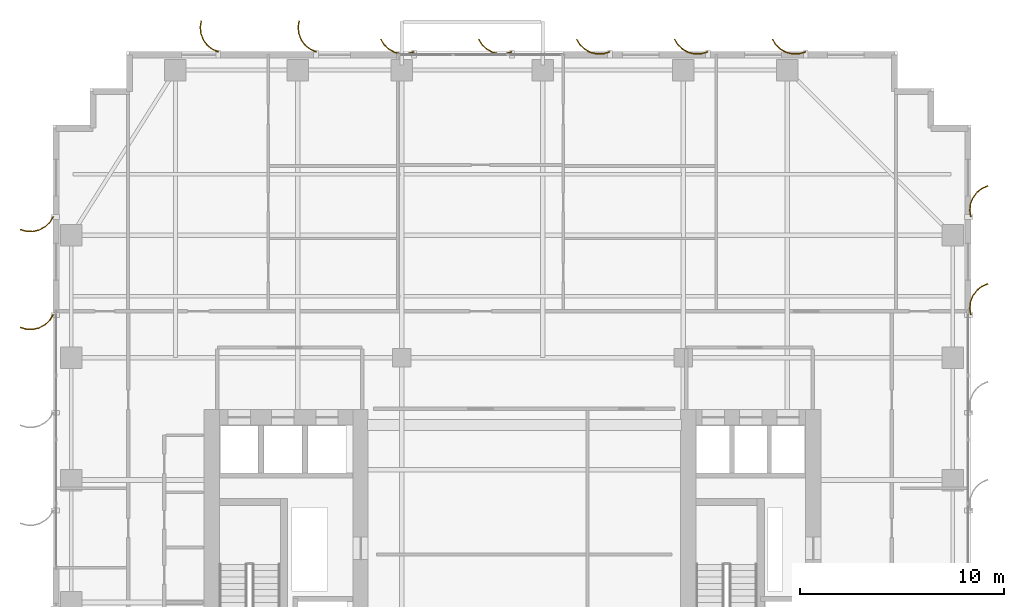
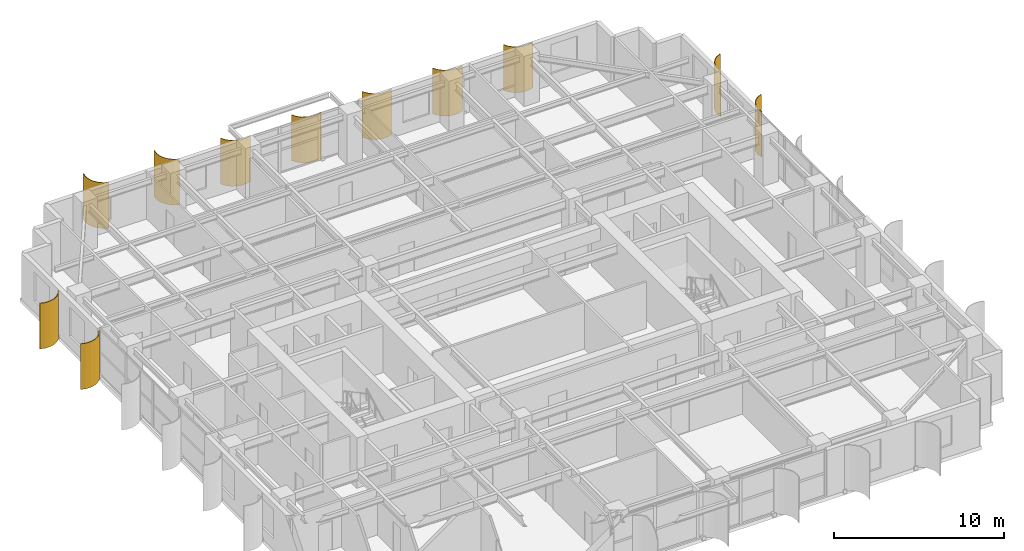
# One storey, part 23 of 23: 11 shading devices.
"""IFC4 building model written with IfcOpenShell, lengths in metres."""

import ifcopenshell
import ifcopenshell.guid

model = None  # the IFC model being written
_history = None  # IfcOwnerHistory: only IFC2X3 demands one
_inside = {}  # id of a spatial element -> (the spatial element, [elements in it])
_under = {}  # id of a project, library or spatial element -> (it, [spatial elements below it])
_declared = {}  # id of a project -> (the project, [libraries it declares])
_typed = {}  # id of a type object -> (the type object, [elements of that type])
_made_of = {}  # id of a material, layer set ... -> (it, [elements and type objects made of it])


def new_model(schema):
    """Start an empty IFC model of exactly this schema.

    Asked for "IFC4X3", IfcOpenShell would pick the latest addendum, in which some entities
    have other attributes; the version numbers below select the first issue.
    IFC2X3 requires an IfcOwnerHistory on every rooted entity: one is made here for all.
    """
    global model, _history
    if schema == "IFC4X3":
        model = ifcopenshell.file(schema_version=(4, 3, 0, 0))
    else:
        model = ifcopenshell.file(schema=schema)
    _inside.clear()
    _under.clear()
    _declared.clear()
    _typed.clear()
    _made_of.clear()
    _history = None
    if model.schema == "IFC2X3":
        org = make("IfcOrganization", Name="unknown")
        user = make(
            "IfcPersonAndOrganization",
            ThePerson=make("IfcPerson", FamilyName="unknown"),
            TheOrganization=org,
        )
        app = make(
            "IfcApplication",
            ApplicationDeveloper=org,
            Version="unknown",
            ApplicationFullName="unknown",
            ApplicationIdentifier="unknown",
        )
        _history = make(
            "IfcOwnerHistory",
            OwningUser=user,
            OwningApplication=app,
            ChangeAction="ADDED",
            CreationDate=0,
        )
    return model


def make(cls, **values):
    """One entity of the class cls with the attributes given. An attribute that is None is left unset."""
    return model.create_entity(
        cls, **{name: value for name, value in values.items() if value is not None}
    )


def rooted(cls, **values):
    """An entity with a GlobalId (a new one), such as an element, a storey or a relation."""
    return make(cls, GlobalId=ifcopenshell.guid.new(), OwnerHistory=_history, **values)


def si_unit(unit_type, name, prefix=None):
    """IfcSIUnit, for example si_unit("LENGTHUNIT", "METRE", prefix="MILLI")."""
    return make("IfcSIUnit", UnitType=unit_type, Prefix=prefix, Name=name)


def assignment(units):
    """IfcUnitAssignment: the units of a project."""
    return None if units is None else make("IfcUnitAssignment", Units=units)


def point(xyz):
    """IfcCartesianPoint."""
    return None if xyz is None else make("IfcCartesianPoint", Coordinates=xyz)


def direction(xyz):
    """IfcDirection."""
    return None if xyz is None else make("IfcDirection", DirectionRatios=xyz)


def frame(location, z_axis=None, x_axis=None):
    """IfcAxis2Placement3D, a coordinate frame: its origin and axes. An axis left out is left unset."""
    return make(
        "IfcAxis2Placement3D",
        Location=point(location),
        Axis=direction(z_axis),
        RefDirection=direction(x_axis),
    )


def origin():
    """The frame at (0, 0, 0) with its axes left unset."""
    return frame((0.0, 0.0, 0.0))


def place(relative_to, where):
    """IfcLocalPlacement: puts the frame where relative to a parent placement (None: the world)."""
    return make(
        "IfcLocalPlacement", PlacementRelTo=relative_to, RelativePlacement=where
    )


def context(
    kind, dimensions, precision=None, world=None, true_north=None, identifier=None
):
    """IfcGeometricRepresentationContext, for example the 3D "Model" context."""
    return make(
        "IfcGeometricRepresentationContext",
        ContextIdentifier=identifier,
        ContextType=kind,
        CoordinateSpaceDimension=dimensions,
        Precision=precision,
        WorldCoordinateSystem=world,
        TrueNorth=true_north,
    )


def subcontext(parent, identifier, kind, view, scale=None):
    """IfcGeometricRepresentationSubContext, for example "Body" below "Model"."""
    return make(
        "IfcGeometricRepresentationSubContext",
        ContextIdentifier=identifier,
        ContextType=kind,
        ParentContext=parent,
        TargetScale=scale,
        TargetView=view,
    )


def project(units=None, contexts=None):
    """IfcProject with its units and contexts."""
    return rooted(
        "IfcProject",
        Name="project",
        RepresentationContexts=contexts,
        UnitsInContext=assignment(units),
    )


def spatial(cls, under=None, at=None, **own):
    """A site, building, storey or space (cls), placed at a placement, below another one or the project."""
    s = rooted(cls, ObjectPlacement=at, **own)
    if under is not None:
        _under.setdefault(under.id(), (under, []))[1].append(s)
    return s


def polyline(points):
    """IfcPolyline through the points."""
    return make("IfcPolyline", Points=[point(p) for p in points])


def outline(outer, holes=None, kind="AREA"):
    """IfcArbitraryClosedProfileDef: a profile drawn as a closed curve; with holes, ...WithVoids."""
    if holes is None:
        return make("IfcArbitraryClosedProfileDef", ProfileType=kind, OuterCurve=outer)
    return make(
        "IfcArbitraryProfileDefWithVoids",
        ProfileType=kind,
        OuterCurve=outer,
        InnerCurves=holes,
    )


def extrude(swept, where, along, depth):
    """IfcExtrudedAreaSolid: the profile swept, set in the frame where, extruded along a direction by depth."""
    return make(
        "IfcExtrudedAreaSolid",
        SweptArea=swept,
        Position=where,
        ExtrudedDirection=direction(along),
        Depth=depth,
    )


def shape(context_of_items, identifier, shape_type, items):
    """IfcShapeRepresentation: the items that make up one representation, for example the "Body"."""
    return make(
        "IfcShapeRepresentation",
        ContextOfItems=context_of_items,
        RepresentationIdentifier=identifier,
        RepresentationType=shape_type,
        Items=items,
    )


def source(mapping_origin, context_of_items, identifier, shape_type, items):
    """IfcRepresentationMap: a shape defined once, which mapped items show again and again."""
    return make(
        "IfcRepresentationMap",
        MappingOrigin=mapping_origin,
        MappedRepresentation=shape(context_of_items, identifier, shape_type, items),
    )


def transform(
    local_origin,
    x_axis=None,
    y_axis=None,
    z_axis=None,
    scale=None,
    scale2=None,
    scale3=None,
    uniform=True,
):
    """IfcCartesianTransformationOperator3D, or its non-uniform kind. x_axis, y_axis, z_axis: its Axis1, 2, 3."""
    if uniform:
        return make(
            "IfcCartesianTransformationOperator3D",
            Axis1=direction(x_axis),
            Axis2=direction(y_axis),
            LocalOrigin=point(local_origin),
            Scale=scale,
            Axis3=direction(z_axis),
        )
    return make(
        "IfcCartesianTransformationOperator3DnonUniform",
        Axis1=direction(x_axis),
        Axis2=direction(y_axis),
        LocalOrigin=point(local_origin),
        Scale=scale,
        Axis3=direction(z_axis),
        Scale2=scale2,
        Scale3=scale3,
    )


def mapped(mapping_source, mapping_target):
    """IfcMappedItem: shows the shape of a source again, moved by a transform."""
    return make(
        "IfcMappedItem", MappingSource=mapping_source, MappingTarget=mapping_target
    )


def material(Name=None, Category=None):
    """IfcMaterial."""
    return make("IfcMaterial", Name=Name, Category=Category)


def layer(
    of_material, thickness, ventilated=None, Name=None, Category=None, Priority=None
):
    """IfcMaterialLayer: one layer of a wall or slab, of a material (None: an air gap)."""
    return make(
        "IfcMaterialLayer",
        Material=of_material,
        LayerThickness=thickness,
        IsVentilated=ventilated,
        Name=Name,
        Category=Category,
        Priority=Priority,
    )


def layer_set(layers, Name=None):
    """IfcMaterialLayerSet."""
    return make("IfcMaterialLayerSet", MaterialLayers=layers, LayerSetName=Name)


def made_of(thing, what):
    """Note that an element or type object is made of a material, layer set ...; save() writes the relation."""
    if what is not None:
        _made_of.setdefault(what.id(), (what, []))[1].append(thing)
    return thing


def type_object(cls, material=None, **own):
    """A type object (cls), such as IfcWallType, which elements share."""
    return made_of(rooted(cls, **own), material)


def element(
    cls,
    number,
    at=None,
    inside=None,
    cuts=None,
    type_object=None,
    material=None,
    context=None,
    identifier="Body",
    shape_type=None,
    held_by="IfcProductDefinitionShape",
    body=None,
    shapes=None,
    **own,
):
    """One element of the class cls, such as IfcWall. Its Tag is "e" and its number.

    at: its placement. inside: the storey or other place that contains it. cuts: it is an
    opening in that element (IfcRelVoidsElement). A single representation is given by context,
    identifier, shape_type and body (its items); several are given by shapes. held_by: the class
    of the entity that holds the representations. save() writes the other relations.
    """
    e = rooted(cls, Tag="e%d" % number, ObjectPlacement=at, **own)
    if body is not None:
        shapes = [shape(context, identifier, shape_type, body)]
    if shapes is not None:
        e.Representation = make(held_by, Representations=shapes)
    if inside is not None:
        _inside.setdefault(inside.id(), (inside, []))[1].append(e)
    if cuts is not None:
        rooted(
            "IfcRelVoidsElement", RelatingBuildingElement=cuts, RelatedOpeningElement=e
        )
    if type_object is not None:
        _typed.setdefault(type_object.id(), (type_object, []))[1].append(e)
    return made_of(e, material)


def aggregate(whole, parts):
    """IfcRelAggregates: a whole, such as a stair, and the parts it consists of."""
    return rooted("IfcRelAggregates", RelatingObject=whole, RelatedObjects=parts)


def save(model, path):
    """Write the relations noted so far, then the file.

    IfcRelAggregates (storeys below a building ...), IfcRelContainedInSpatialStructure (elements
    in a storey), IfcRelDefinesByType, IfcRelAssociatesMaterial and IfcRelDeclares: one each for
    every whole, place, type object, material and project.
    """
    for whole, parts in _under.values():
        aggregate(whole, parts)
    for where, things in _inside.values():
        rooted(
            "IfcRelContainedInSpatialStructure",
            RelatedElements=things,
            RelatingStructure=where,
        )
    for kind, things in _typed.values():
        rooted("IfcRelDefinesByType", RelatedObjects=things, RelatingType=kind)
    for what, things in _made_of.values():
        rooted("IfcRelAssociatesMaterial", RelatedObjects=things, RelatingMaterial=what)
    for by, libraries in _declared.values():
        rooted("IfcRelDeclares", RelatingContext=by, RelatedDefinitions=libraries)
    model.write(path)


model = new_model("IFC4")

# Units and contexts
model_context = context("Model", 3, precision=1e-05, world=origin(), true_north=direction((0.0, 1.0)))
body_context = subcontext(model_context, "Body", "Model", "MODEL_VIEW")
ifc_project = project(units=[si_unit("LENGTHUNIT", "METRE"), si_unit("AREAUNIT", "SQUARE_METRE"), si_unit("VOLUMEUNIT", "CUBIC_METRE"), si_unit("PLANEANGLEUNIT", "RADIAN"), si_unit("MASSUNIT", "GRAM", prefix="KILO")], contexts=[model_context])

# Site, building, storey
site_placement = place(None, origin())
site = spatial("IfcSite", under=ifc_project, at=site_placement, CompositionType="ELEMENT")
building_placement = place(site_placement, origin())
building = spatial("IfcBuilding", under=site, at=building_placement, Name="Khoralis Quay Care Tower", CompositionType="ELEMENT")
storey_placement = place(building_placement, frame((0.0, 0.0, 119.699951171875)))
storey = spatial("IfcBuildingStorey", under=building, at=storey_placement, Name="L31", CompositionType="ELEMENT", Elevation=119.699951171875)

# Shading devices
ifc_material = material(Name="Brushed pale anodised aluminium", Category="aluminium")
ifc_layer = layer(ifc_material, 0.044921875)
ifc_layer_set = layer_set([ifc_layer], Name="Brushed pale anodised aluminium")
shading_device_type = type_object("IfcShadingDeviceType", Name="SHD-FIN-1250", PredefinedType="USERDEFINED", material=ifc_layer_set)
shared_shape_1 = source(origin(), body_context, "Body", "SweptSolid", [
    extrude(outline(polyline([(0.0, 0.0), (0.17041015625, 0.2783203125), (0.4072265625, 0.5029296875), (0.694091796875, 0.658447265625), (1.01123046875, 0.734619140625), (1.33740234375, 0.72607421875), (1.650390625, 0.633544921875), (1.632080078125, 0.59228515625), (1.330322265625, 0.681640625), (1.015869140625, 0.68994140625), (0.710205078125, 0.616455078125), (0.43359375, 0.466552734375), (0.20556640625, 0.25), (0.041015625, -0.018310546875), (0.0, 0.0)])), origin(), (0.0, 0.0, 1.0), 3.280029296875),
])
for number, where, z_axis, x_axis, name in (
    (1, (0.030029296875, 36.89990234375, 0.02001953125), (0.0, 0.0, 1.0), (-1.0, 0.0, 0.0), "L31 Curved Solar Fin P1E15-01"),
    (2, (0.030029296875, 32.10009765625, 0.02001953125), (0.0, 0.0, 1.0), (-1.0, 0.0, 0.0), "L31 Curved Solar Fin P1E15-02"),
):
    element("IfcShadingDevice", number, at=place(storey_placement, frame(where, z_axis=z_axis, x_axis=x_axis)), inside=storey, type_object=shading_device_type, Name=name, ObjectType="FIN", PredefinedType="USERDEFINED", context=body_context, shape_type="MappedRepresentation", body=[
        mapped(shared_shape_1, transform((0.0, 0.0, 0.0), scale=1.0)),
    ])
shared_shape_2 = source(origin(), body_context, "Body", "SweptSolid", [
    extrude(outline(polyline([(0.0, 0.0), (-0.04833984375, 0.32275390625), (-0.01123046875, 0.64697265625), (0.1083984375, 0.950439453125), (0.302490234375, 1.212890625), (0.557861328125, 1.416015625), (0.85693359375, 1.546142578125), (0.869384765625, 1.5029296875), (0.5810546875, 1.37744140625), (0.334716796875, 1.181640625), (0.147705078125, 0.9287109375), (0.032470703125, 0.635986328125), (-0.003173828125, 0.323486328125), (0.043212890625, 0.012451171875), (0.0, 0.0)])), origin(), (0.0, 0.0, 1.0), 3.280029296875),
])
for number, where, z_axis, x_axis, name in (
    (3, (44.969970703125, 32.10009765625, 0.02001953125), (0.0, 0.0, 1.0), (1.0, 0.0, 0.0), "L31 Curved Solar Fin P1E5-06"),
    (4, (44.969970703125, 36.89990234375, 0.02001953125), (0.0, 0.0, 1.0), (1.0, 0.0, 0.0), "L31 Curved Solar Fin P1E5-07"),
):
    element("IfcShadingDevice", number, at=place(storey_placement, frame(where, z_axis=z_axis, x_axis=x_axis)), inside=storey, type_object=shading_device_type, Name=name, ObjectType="FIN", PredefinedType="USERDEFINED", context=body_context, shape_type="MappedRepresentation", body=[
        mapped(shared_shape_2, transform((0.0, 0.0, 0.0), scale=1.0)),
    ])
shared_shape_3 = source(origin(), body_context, "Body", "SweptSolid", [
    extrude(outline(polyline([(0.0, 0.0), (-0.0927734375, 0.31298828125), (-0.101318359375, 0.63916015625), (-0.025146484375, 0.956298828125), (0.130615234375, 1.2431640625), (0.355224609375, 1.479736328125), (0.633544921875, 1.650390625), (0.65185546875, 1.609130859375), (0.383544921875, 1.44482421875), (0.1669921875, 1.216796875), (0.01708984375, 0.940185546875), (-0.056396484375, 0.63427734375), (-0.04833984375, 0.31982421875), (0.041015625, 0.018310546875), (0.0, 0.0)])), origin(), (0.0, 0.0, 1.0), 3.280029296875),
])
for number, where, z_axis, x_axis, name in (
    (5, (36.89990234375, 44.969970703125, 0.02001953125), (0.0, 0.0, 1.0), (0.0, 1.0, 0.0), "L31 Curved Solar Fin P1E10-01"),
    (6, (32.10009765625, 44.969970703125, 0.02001953125), (0.0, 0.0, 1.0), (0.0, 1.0, 0.0), "L31 Curved Solar Fin P1E10-02"),
    (7, (27.300048828125, 44.969970703125, 0.02001953125), (0.0, 0.0, 1.0), (0.0, 1.0, 0.0), "L31 Curved Solar Fin P1E10-03"),
    (8, (22.5, 44.969970703125, 0.02001953125), (0.0, 0.0, 1.0), (0.0, 1.0, 0.0), "L31 Curved Solar Fin P1E10-04"),
    (9, (17.699951171875, 44.969970703125, 0.02001953125), (0.0, 0.0, 1.0), (0.0, 1.0, 0.0), "L31 Curved Solar Fin P1E10-05"),
):
    element("IfcShadingDevice", number, at=place(storey_placement, frame(where, z_axis=z_axis, x_axis=x_axis)), inside=storey, type_object=shading_device_type, Name=name, ObjectType="FIN", PredefinedType="USERDEFINED", context=body_context, shape_type="MappedRepresentation", body=[
        mapped(shared_shape_3, transform((0.0, 0.0, 0.0), scale=1.0)),
    ])
shared_shape_4 = source(origin(), body_context, "Body", "SweptSolid", [
    extrude(outline(polyline([(0.0, 0.0), (0.130126953125, 0.29931640625), (0.333251953125, 0.5546875), (0.595458984375, 0.748779296875), (0.899169921875, 0.868408203125), (1.223388671875, 0.9052734375), (1.546142578125, 0.85693359375), (1.53369140625, 0.813720703125), (1.22265625, 0.8603515625), (0.91015625, 0.82470703125), (0.617431640625, 0.70947265625), (0.364501953125, 0.522216796875), (0.168701171875, 0.276123046875), (0.043212890625, -0.012451171875), (0.0, 0.0)])), origin(), (0.0, 0.0, 1.0), 3.280029296875),
])
for number, where, z_axis, x_axis, name in (
    (10, (12.89990234375, 44.969970703125, 0.02001953125), (0.0, 0.0, 1.0), (0.0, 1.0, 0.0), "L31 Curved Solar Fin P1E10-06"),
    (11, (8.10009765625, 44.969970703125, 0.02001953125), (0.0, 0.0, 1.0), (0.0, 1.0, 0.0), "L31 Curved Solar Fin P1E10-07"),
):
    element("IfcShadingDevice", number, at=place(storey_placement, frame(where, z_axis=z_axis, x_axis=x_axis)), inside=storey, type_object=shading_device_type, Name=name, ObjectType="FIN", PredefinedType="USERDEFINED", context=body_context, shape_type="MappedRepresentation", body=[
        mapped(shared_shape_4, transform((0.0, 0.0, 0.0), scale=1.0)),
    ])

save(model, "model.ifc")
